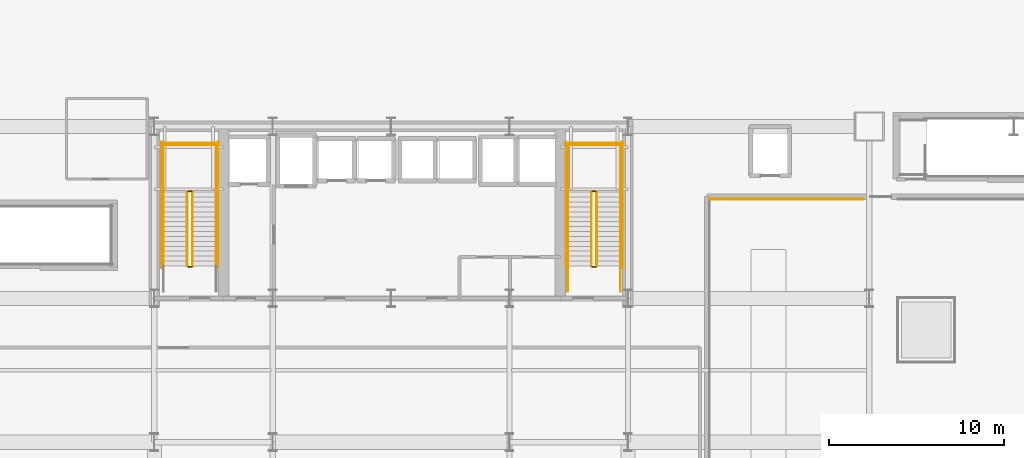
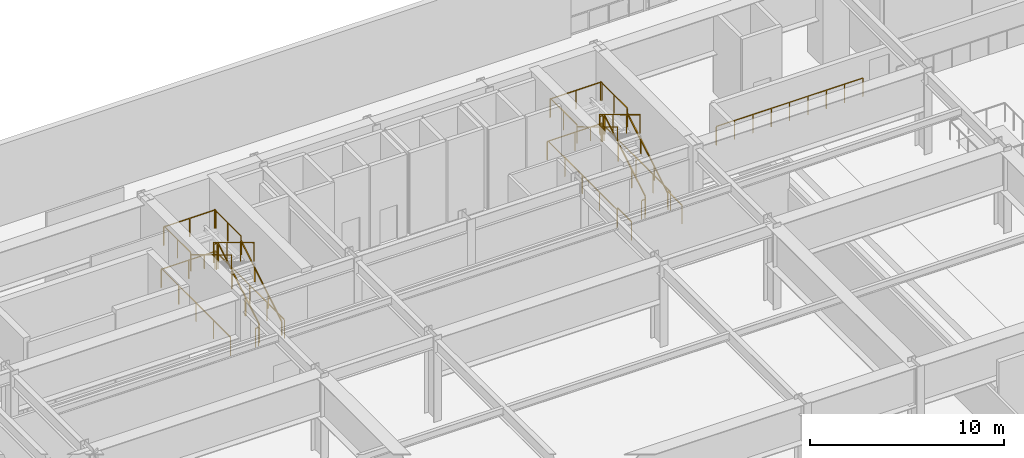
# One storey, part 22 of 29: 27 railings.
"""IFC4 building model written with IfcOpenShell, lengths in metres."""

from ifc_helpers import new_model, si_unit, direction, frame, origin, origin_2d, place, context, subcontext, project, spatial, rectangle, extrude, material, type_object, element, save


model = new_model("IFC4")

# Units and contexts
model_context = context("Model", 3, precision=1e-05, world=origin(), true_north=direction((0.0, 1.0)))
body_context = subcontext(model_context, "Body", "Model", "MODEL_VIEW")
ifc_project = project(units=[si_unit("LENGTHUNIT", "METRE"), si_unit("AREAUNIT", "SQUARE_METRE"), si_unit("VOLUMEUNIT", "CUBIC_METRE"), si_unit("PLANEANGLEUNIT", "RADIAN"), si_unit("MASSUNIT", "GRAM", prefix="KILO")], contexts=[model_context])

# Site, building, storey
site_placement = place(None, origin())
site = spatial("IfcSite", under=ifc_project, at=site_placement, CompositionType="ELEMENT")
building_placement = place(site_placement, origin())
building = spatial("IfcBuilding", under=site, at=building_placement, Name="Haevon Station Towers", CompositionType="ELEMENT")
storey_placement = place(building_placement, frame((0.0, 0.0, 25.199951171875)))
storey = spatial("IfcBuildingStorey", under=building, at=storey_placement, Name="L05", CompositionType="ELEMENT", Elevation=25.199951171875)

# Railings
ifc_material = material(Name="Steel S355", Category="steel")
railing_type_1 = type_object("IfcRailingType", Name="GRD-EXT1200", PredefinedType="GUARDRAIL", material=ifc_material)
railing_1_placement = place(storey_placement, frame((64.39990234375, 43.85009765625, 0.0)))
element("IfcRailing", 1, at=railing_1_placement, inside=storey, type_object=railing_type_1, Name="L05 Podium Roof Garden Guardrail 5", PredefinedType="GUARDRAIL", context=body_context, shape_type="SweptSolid", body=[
    extrude(rectangle(XDim=0.048095703125, YDim=0.048095703125, at=origin_2d()), frame((0.0, 0.0, 1.17578125), z_axis=(-1.0, 0.0, 0.0), x_axis=(0.0, -1.0, 0.0)), (0.0, 0.0, 1.0), 8.75),
    extrude(rectangle(XDim=0.0419921875, YDim=0.0419921875, at=origin_2d()), origin(), (0.0, 0.0, 1.0), 1.15185546875),
    extrude(rectangle(XDim=0.0419921875, YDim=0.0419921875, at=origin_2d()), frame((-1.09375, 0.0, 0.0)), (0.0, 0.0, 1.0), 1.15185546875),
    extrude(rectangle(XDim=0.0419921875, YDim=0.0419921875, at=origin_2d()), frame((-2.1875, 0.0, 0.0)), (0.0, 0.0, 1.0), 1.15185546875),
    extrude(rectangle(XDim=0.0419921875, YDim=0.0419921875, at=origin_2d()), frame((-3.28125, 0.0, 0.0)), (0.0, 0.0, 1.0), 1.15185546875),
    extrude(rectangle(XDim=0.0419921875, YDim=0.0419921875, at=origin_2d()), frame((-4.375, 0.0, 0.0)), (0.0, 0.0, 1.0), 1.15185546875),
    extrude(rectangle(XDim=0.0419921875, YDim=0.0419921875, at=origin_2d()), frame((-5.46875, 0.0, 0.0)), (0.0, 0.0, 1.0), 1.15185546875),
    extrude(rectangle(XDim=0.0419921875, YDim=0.0419921875, at=origin_2d()), frame((-6.5625, 0.0, 0.0)), (0.0, 0.0, 1.0), 1.15185546875),
    extrude(rectangle(XDim=0.0419921875, YDim=0.0419921875, at=origin_2d()), frame((-7.65625, 0.0, 0.0)), (0.0, 0.0, 1.0), 1.15185546875),
    extrude(rectangle(XDim=0.0419921875, YDim=0.0419921875, at=origin_2d()), frame((-8.75, 0.0, 0.0)), (0.0, 0.0, 1.0), 1.15185546875),
])
railing_type_2 = type_object("IfcRailingType", Name="GRD-STR1200", PredefinedType="GUARDRAIL", material=ifc_material)
railing_2_placement = place(storey_placement, frame((26.179931640625, 40.050048828125, 0.168701171875)))
element("IfcRailing", 2, at=railing_2_placement, inside=storey, type_object=railing_type_2, Name="L05 ST1 Stair Guard 1", PredefinedType="GUARDRAIL", context=body_context, shape_type="SweptSolid", body=[
    extrude(rectangle(XDim=0.048095703125, YDim=0.048095703125, at=origin_2d()), frame((0.0, 0.0, 1.17578125), z_axis=(0.0, 0.856476492594, 0.516186030065), x_axis=(-1.0, 0.0, 0.0)), (0.0, 0.0, 1.0), 4.90380859375),
    extrude(rectangle(XDim=0.0419921875, YDim=0.0419921875, at=origin_2d()), origin(), (0.0, 0.0, 1.0), 1.15185546875),
    extrude(rectangle(XDim=0.0419921875, YDim=0.0419921875, at=origin_2d()), frame((0.0, 1.39990234375, 0.84375)), (0.0, 0.0, 1.0), 1.15185546875),
    extrude(rectangle(XDim=0.0419921875, YDim=0.0419921875, at=origin_2d()), frame((0.0, 2.800048828125, 1.6875)), (0.0, 0.0, 1.0), 1.15185546875),
    extrude(rectangle(XDim=0.0419921875, YDim=0.0419921875, at=origin_2d()), frame((0.0, 4.199951171875, 2.53125)), (0.0, 0.0, 1.0), 1.15185546875),
])
railing_3_placement = place(storey_placement, frame((26.1298828125, 44.300048828125, 2.699951171875)))
element("IfcRailing", 3, at=railing_3_placement, inside=storey, type_object=railing_type_2, Name="L05 ST1 Stair Guard 2", PredefinedType="GUARDRAIL", context=body_context, shape_type="SweptSolid", body=[
    extrude(rectangle(XDim=0.048095703125, YDim=0.048095703125, at=origin_2d()), frame((0.0, 0.0, 1.17578125), z_axis=(-1.0, 0.0, 0.0), x_axis=(0.0, -1.0, 0.0)), (0.0, 0.0, 1.0), 0.199951171875),
    extrude(rectangle(XDim=0.0419921875, YDim=0.0419921875, at=origin_2d()), origin(), (0.0, 0.0, 1.0), 1.15185546875),
    extrude(rectangle(XDim=0.0419921875, YDim=0.0419921875, at=origin_2d()), frame((-0.199951171875, 0.0, 0.0)), (0.0, 0.0, 1.0), 1.15185546875),
])
for number, where, name in (
    (4, (27.530029296875, 44.25, 2.699951171875), "L05 ST1 Stair Guard 3"),
    (5, (24.530029296875, 44.25, 2.699951171875), "L05 ST1 Stair Guard 4"),
):
    element("IfcRailing", number, at=place(storey_placement, frame(where)), inside=storey, type_object=railing_type_2, Name=name, PredefinedType="GUARDRAIL", context=body_context, shape_type="SweptSolid", body=[
        extrude(rectangle(XDim=0.048095703125, YDim=0.048095703125, at=origin_2d()), frame((0.0, 0.0, 1.17578125), z_axis=(0.0, 1.0, 0.0), x_axis=(-1.0, 0.0, 0.0)), (0.0, 0.0, 1.0), 2.75),
        extrude(rectangle(XDim=0.0419921875, YDim=0.0419921875, at=origin_2d()), origin(), (0.0, 0.0, 1.0), 1.15185546875),
        extrude(rectangle(XDim=0.0419921875, YDim=0.0419921875, at=origin_2d()), frame((0.0, 1.375, 0.0)), (0.0, 0.0, 1.0), 1.15185546875),
        extrude(rectangle(XDim=0.0419921875, YDim=0.0419921875, at=origin_2d()), frame((0.0, 2.75, 0.0)), (0.0, 0.0, 1.0), 1.15185546875),
    ])
railing_4_placement = place(storey_placement, frame((27.580078125, 46.949951171875, 2.699951171875)))
element("IfcRailing", 6, at=railing_4_placement, inside=storey, type_object=railing_type_2, Name="L05 ST1 Stair Guard 5", PredefinedType="GUARDRAIL", context=body_context, shape_type="SweptSolid", body=[
    extrude(rectangle(XDim=0.048095703125, YDim=0.048095703125, at=origin_2d()), frame((0.0, 0.0, 1.17578125), z_axis=(-1.0, 0.0, 0.0), x_axis=(0.0, -1.0, 0.0)), (0.0, 0.0, 1.0), 3.10009765625),
    extrude(rectangle(XDim=0.0419921875, YDim=0.0419921875, at=origin_2d()), origin(), (0.0, 0.0, 1.0), 1.15185546875),
    extrude(rectangle(XDim=0.0419921875, YDim=0.0419921875, at=origin_2d()), frame((-1.550048828125, 0.0, 0.0)), (0.0, 0.0, 1.0), 1.15185546875),
    extrude(rectangle(XDim=0.0419921875, YDim=0.0419921875, at=origin_2d()), frame((-3.10009765625, 0.0, 0.0)), (0.0, 0.0, 1.0), 1.15185546875),
])
railing_5_placement = place(storey_placement, frame((25.8798828125, 44.25, 2.868896484375)))
element("IfcRailing", 7, at=railing_5_placement, inside=storey, type_object=railing_type_2, Name="L05 ST1 Stair Guard 6", PredefinedType="GUARDRAIL", context=body_context, shape_type="SweptSolid", body=[
    extrude(rectangle(XDim=0.048095703125, YDim=0.048095703125, at=origin_2d()), frame((0.0, 0.0, 1.17578125), z_axis=(0.0, -0.856476492594, 0.516186030065), x_axis=(1.0, 0.0, 0.0)), (0.0, 0.0, 1.0), 4.90380859375),
    extrude(rectangle(XDim=0.0419921875, YDim=0.0419921875, at=origin_2d()), origin(), (0.0, 0.0, 1.0), 1.15185546875),
    extrude(rectangle(XDim=0.0419921875, YDim=0.0419921875, at=origin_2d()), frame((0.0, -1.39990234375, 0.84375)), (0.0, 0.0, 1.0), 1.15185546875),
    extrude(rectangle(XDim=0.0419921875, YDim=0.0419921875, at=origin_2d()), frame((0.0, -2.800048828125, 1.6875)), (0.0, 0.0, 1.0), 1.15185546875),
    extrude(rectangle(XDim=0.0419921875, YDim=0.0419921875, at=origin_2d()), frame((0.0, -4.199951171875, 2.53125)), (0.0, 0.0, 1.0), 1.15185546875),
])
railing_6_placement = place(storey_placement, frame((26.1298828125, 40.0, 0.0)))
element("IfcRailing", 8, at=railing_6_placement, inside=storey, type_object=railing_type_2, Name="L05 ST1 Stair Guard 7", PredefinedType="GUARDRAIL", context=body_context, shape_type="SweptSolid", body=[
    extrude(rectangle(XDim=0.048095703125, YDim=0.048095703125, at=origin_2d()), frame((0.0, 0.0, 1.17578125), z_axis=(-1.0, 0.0, 0.0), x_axis=(0.0, -1.0, 0.0)), (0.0, 0.0, 1.0), 0.199951171875),
    extrude(rectangle(XDim=0.0419921875, YDim=0.0419921875, at=origin_2d()), origin(), (0.0, 0.0, 1.0), 1.15185546875),
    extrude(rectangle(XDim=0.0419921875, YDim=0.0419921875, at=origin_2d()), frame((-0.199951171875, 0.0, 0.0)), (0.0, 0.0, 1.0), 1.15185546875),
])
for number, where, name in (
    (9, (27.6298828125, 39.949951171875, 0.0), "L05 ST1 Stair Guard 10"),
    (10, (24.429931640625, 39.949951171875, 0.0), "L05 ST1 Stair Guard 11"),
):
    element("IfcRailing", number, at=place(storey_placement, frame(where)), inside=storey, type_object=railing_type_2, Name=name, PredefinedType="GUARDRAIL", context=body_context, shape_type="SweptSolid", body=[
        extrude(rectangle(XDim=0.048095703125, YDim=0.048095703125, at=origin_2d()), frame((0.0, 0.0, 1.17578125), z_axis=(0.0, 1.0, 0.0), x_axis=(-1.0, 0.0, 0.0)), (0.0, 0.0, 1.0), 7.150146484375),
        extrude(rectangle(XDim=0.0419921875, YDim=0.0419921875, at=origin_2d()), origin(), (0.0, 0.0, 1.0), 1.15185546875),
        extrude(rectangle(XDim=0.0419921875, YDim=0.0419921875, at=origin_2d()), frame((0.0, 1.78759765625, 0.0)), (0.0, 0.0, 1.0), 1.15185546875),
        extrude(rectangle(XDim=0.0419921875, YDim=0.0419921875, at=origin_2d()), frame((0.0, 3.5751953125, 0.0)), (0.0, 0.0, 1.0), 1.15185546875),
        extrude(rectangle(XDim=0.0419921875, YDim=0.0419921875, at=origin_2d()), frame((0.0, 5.362548828125, 0.0)), (0.0, 0.0, 1.0), 1.15185546875),
        extrude(rectangle(XDim=0.0419921875, YDim=0.0419921875, at=origin_2d()), frame((0.0, 7.150146484375, 0.0)), (0.0, 0.0, 1.0), 1.15185546875),
    ])
railing_7_placement = place(storey_placement, frame((27.679931640625, 47.050048828125, 0.0)))
element("IfcRailing", 11, at=railing_7_placement, inside=storey, type_object=railing_type_2, Name="L05 ST1 Stair Guard 12", PredefinedType="GUARDRAIL", context=body_context, shape_type="SweptSolid", body=[
    extrude(rectangle(XDim=0.048095703125, YDim=0.048095703125, at=origin_2d()), frame((0.0, 0.0, 1.17578125), z_axis=(-1.0, 0.0, 0.0), x_axis=(0.0, -1.0, 0.0)), (0.0, 0.0, 1.0), 3.300048828125),
    extrude(rectangle(XDim=0.0419921875, YDim=0.0419921875, at=origin_2d()), origin(), (0.0, 0.0, 1.0), 1.15185546875),
    extrude(rectangle(XDim=0.0419921875, YDim=0.0419921875, at=origin_2d()), frame((-1.64990234375, 0.0, 0.0)), (0.0, 0.0, 1.0), 1.15185546875),
    extrude(rectangle(XDim=0.0419921875, YDim=0.0419921875, at=origin_2d()), frame((-3.300048828125, 0.0, 0.0)), (0.0, 0.0, 1.0), 1.15185546875),
])
railing_8_placement = place(storey_placement, frame((49.219970703125, 40.050048828125, 0.168701171875)))
element("IfcRailing", 12, at=railing_8_placement, inside=storey, type_object=railing_type_2, Name="L05 ST2 Stair Guard 1", PredefinedType="GUARDRAIL", context=body_context, shape_type="SweptSolid", body=[
    extrude(rectangle(XDim=0.048095703125, YDim=0.048095703125, at=origin_2d()), frame((0.0, 0.0, 1.17578125), z_axis=(0.0, 0.856476492594, 0.516186030065), x_axis=(-1.0, 0.0, 0.0)), (0.0, 0.0, 1.0), 4.90380859375),
    extrude(rectangle(XDim=0.0419921875, YDim=0.0419921875, at=origin_2d()), origin(), (0.0, 0.0, 1.0), 1.15185546875),
    extrude(rectangle(XDim=0.0419921875, YDim=0.0419921875, at=origin_2d()), frame((0.0, 1.39990234375, 0.84375)), (0.0, 0.0, 1.0), 1.15185546875),
    extrude(rectangle(XDim=0.0419921875, YDim=0.0419921875, at=origin_2d()), frame((0.0, 2.800048828125, 1.6875)), (0.0, 0.0, 1.0), 1.15185546875),
    extrude(rectangle(XDim=0.0419921875, YDim=0.0419921875, at=origin_2d()), frame((0.0, 4.199951171875, 2.53125)), (0.0, 0.0, 1.0), 1.15185546875),
])
railing_9_placement = place(storey_placement, frame((49.169921875, 44.300048828125, 2.699951171875)))
element("IfcRailing", 13, at=railing_9_placement, inside=storey, type_object=railing_type_2, Name="L05 ST2 Stair Guard 2", PredefinedType="GUARDRAIL", context=body_context, shape_type="SweptSolid", body=[
    extrude(rectangle(XDim=0.048095703125, YDim=0.048095703125, at=origin_2d()), frame((0.0, 0.0, 1.17578125), z_axis=(-1.0, 0.0, 0.0), x_axis=(0.0, -1.0, 0.0)), (0.0, 0.0, 1.0), 0.199951171875),
    extrude(rectangle(XDim=0.0419921875, YDim=0.0419921875, at=origin_2d()), origin(), (0.0, 0.0, 1.0), 1.15185546875),
    extrude(rectangle(XDim=0.0419921875, YDim=0.0419921875, at=origin_2d()), frame((-0.199951171875, 0.0, 0.0)), (0.0, 0.0, 1.0), 1.15185546875),
])
for number, where, name in (
    (14, (50.570068359375, 44.25, 2.699951171875), "L05 ST2 Stair Guard 3"),
    (15, (47.570068359375, 44.25, 2.699951171875), "L05 ST2 Stair Guard 4"),
):
    element("IfcRailing", number, at=place(storey_placement, frame(where)), inside=storey, type_object=railing_type_2, Name=name, PredefinedType="GUARDRAIL", context=body_context, shape_type="SweptSolid", body=[
        extrude(rectangle(XDim=0.048095703125, YDim=0.048095703125, at=origin_2d()), frame((0.0, 0.0, 1.17578125), z_axis=(0.0, 1.0, 0.0), x_axis=(-1.0, 0.0, 0.0)), (0.0, 0.0, 1.0), 2.75),
        extrude(rectangle(XDim=0.0419921875, YDim=0.0419921875, at=origin_2d()), origin(), (0.0, 0.0, 1.0), 1.15185546875),
        extrude(rectangle(XDim=0.0419921875, YDim=0.0419921875, at=origin_2d()), frame((0.0, 1.375, 0.0)), (0.0, 0.0, 1.0), 1.15185546875),
        extrude(rectangle(XDim=0.0419921875, YDim=0.0419921875, at=origin_2d()), frame((0.0, 2.75, 0.0)), (0.0, 0.0, 1.0), 1.15185546875),
    ])
railing_10_placement = place(storey_placement, frame((50.6201171875, 46.949951171875, 2.699951171875)))
element("IfcRailing", 16, at=railing_10_placement, inside=storey, type_object=railing_type_2, Name="L05 ST2 Stair Guard 5", PredefinedType="GUARDRAIL", context=body_context, shape_type="SweptSolid", body=[
    extrude(rectangle(XDim=0.048095703125, YDim=0.048095703125, at=origin_2d()), frame((0.0, 0.0, 1.17578125), z_axis=(-1.0, 0.0, 0.0), x_axis=(0.0, -1.0, 0.0)), (0.0, 0.0, 1.0), 3.10009765625),
    extrude(rectangle(XDim=0.0419921875, YDim=0.0419921875, at=origin_2d()), origin(), (0.0, 0.0, 1.0), 1.15185546875),
    extrude(rectangle(XDim=0.0419921875, YDim=0.0419921875, at=origin_2d()), frame((-1.550048828125, 0.0, 0.0)), (0.0, 0.0, 1.0), 1.15185546875),
    extrude(rectangle(XDim=0.0419921875, YDim=0.0419921875, at=origin_2d()), frame((-3.10009765625, 0.0, 0.0)), (0.0, 0.0, 1.0), 1.15185546875),
])
railing_11_placement = place(storey_placement, frame((48.919921875, 44.25, 2.868896484375)))
element("IfcRailing", 17, at=railing_11_placement, inside=storey, type_object=railing_type_2, Name="L05 ST2 Stair Guard 6", PredefinedType="GUARDRAIL", context=body_context, shape_type="SweptSolid", body=[
    extrude(rectangle(XDim=0.048095703125, YDim=0.048095703125, at=origin_2d()), frame((0.0, 0.0, 1.17578125), z_axis=(0.0, -0.856476492594, 0.516186030065), x_axis=(1.0, 0.0, 0.0)), (0.0, 0.0, 1.0), 4.90380859375),
    extrude(rectangle(XDim=0.0419921875, YDim=0.0419921875, at=origin_2d()), origin(), (0.0, 0.0, 1.0), 1.15185546875),
    extrude(rectangle(XDim=0.0419921875, YDim=0.0419921875, at=origin_2d()), frame((0.0, -1.39990234375, 0.84375)), (0.0, 0.0, 1.0), 1.15185546875),
    extrude(rectangle(XDim=0.0419921875, YDim=0.0419921875, at=origin_2d()), frame((0.0, -2.800048828125, 1.6875)), (0.0, 0.0, 1.0), 1.15185546875),
    extrude(rectangle(XDim=0.0419921875, YDim=0.0419921875, at=origin_2d()), frame((0.0, -4.199951171875, 2.53125)), (0.0, 0.0, 1.0), 1.15185546875),
])
railing_12_placement = place(storey_placement, frame((49.169921875, 40.0, 0.0)))
element("IfcRailing", 18, at=railing_12_placement, inside=storey, type_object=railing_type_2, Name="L05 ST2 Stair Guard 7", PredefinedType="GUARDRAIL", context=body_context, shape_type="SweptSolid", body=[
    extrude(rectangle(XDim=0.048095703125, YDim=0.048095703125, at=origin_2d()), frame((0.0, 0.0, 1.17578125), z_axis=(-1.0, 0.0, 0.0), x_axis=(0.0, -1.0, 0.0)), (0.0, 0.0, 1.0), 0.199951171875),
    extrude(rectangle(XDim=0.0419921875, YDim=0.0419921875, at=origin_2d()), origin(), (0.0, 0.0, 1.0), 1.15185546875),
    extrude(rectangle(XDim=0.0419921875, YDim=0.0419921875, at=origin_2d()), frame((-0.199951171875, 0.0, 0.0)), (0.0, 0.0, 1.0), 1.15185546875),
])
for number, where, name in (
    (19, (50.570068359375, 38.60009765625, 0.0), "L05 ST2 Stair Guard 8"),
    (20, (47.570068359375, 38.60009765625, 0.0), "L05 ST2 Stair Guard 9"),
):
    element("IfcRailing", number, at=place(storey_placement, frame(where)), inside=storey, type_object=railing_type_2, Name=name, PredefinedType="GUARDRAIL", context=body_context, shape_type="SweptSolid", body=[
        extrude(rectangle(XDim=0.048095703125, YDim=0.048095703125, at=origin_2d()), frame((0.0, 0.0, 1.17578125), z_axis=(0.0, 1.0, 0.0), x_axis=(-1.0, 0.0, 0.0)), (0.0, 0.0, 1.0), 1.449951171875),
        extrude(rectangle(XDim=0.0419921875, YDim=0.0419921875, at=origin_2d()), origin(), (0.0, 0.0, 1.0), 1.15185546875),
        extrude(rectangle(XDim=0.0419921875, YDim=0.0419921875, at=origin_2d()), frame((0.0, 1.449951171875, 0.0)), (0.0, 0.0, 1.0), 1.15185546875),
    ])
for number, where, name in (
    (21, (50.669921875, 39.949951171875, 0.0), "L05 ST2 Stair Guard 10"),
    (22, (47.469970703125, 39.949951171875, 0.0), "L05 ST2 Stair Guard 11"),
):
    element("IfcRailing", number, at=place(storey_placement, frame(where)), inside=storey, type_object=railing_type_2, Name=name, PredefinedType="GUARDRAIL", context=body_context, shape_type="SweptSolid", body=[
        extrude(rectangle(XDim=0.048095703125, YDim=0.048095703125, at=origin_2d()), frame((0.0, 0.0, 1.17578125), z_axis=(0.0, 1.0, 0.0), x_axis=(-1.0, 0.0, 0.0)), (0.0, 0.0, 1.0), 7.150146484375),
        extrude(rectangle(XDim=0.0419921875, YDim=0.0419921875, at=origin_2d()), origin(), (0.0, 0.0, 1.0), 1.15185546875),
        extrude(rectangle(XDim=0.0419921875, YDim=0.0419921875, at=origin_2d()), frame((0.0, 1.78759765625, 0.0)), (0.0, 0.0, 1.0), 1.15185546875),
        extrude(rectangle(XDim=0.0419921875, YDim=0.0419921875, at=origin_2d()), frame((0.0, 3.5751953125, 0.0)), (0.0, 0.0, 1.0), 1.15185546875),
        extrude(rectangle(XDim=0.0419921875, YDim=0.0419921875, at=origin_2d()), frame((0.0, 5.362548828125, 0.0)), (0.0, 0.0, 1.0), 1.15185546875),
        extrude(rectangle(XDim=0.0419921875, YDim=0.0419921875, at=origin_2d()), frame((0.0, 7.150146484375, 0.0)), (0.0, 0.0, 1.0), 1.15185546875),
    ])
railing_13_placement = place(storey_placement, frame((50.719970703125, 47.050048828125, 0.0)))
element("IfcRailing", 23, at=railing_13_placement, inside=storey, type_object=railing_type_2, Name="L05 ST2 Stair Guard 12", PredefinedType="GUARDRAIL", context=body_context, shape_type="SweptSolid", body=[
    extrude(rectangle(XDim=0.048095703125, YDim=0.048095703125, at=origin_2d()), frame((0.0, 0.0, 1.17578125), z_axis=(-1.0, 0.0, 0.0), x_axis=(0.0, -1.0, 0.0)), (0.0, 0.0, 1.0), 3.300048828125),
    extrude(rectangle(XDim=0.0419921875, YDim=0.0419921875, at=origin_2d()), origin(), (0.0, 0.0, 1.0), 1.15185546875),
    extrude(rectangle(XDim=0.0419921875, YDim=0.0419921875, at=origin_2d()), frame((-1.64990234375, 0.0, 0.0)), (0.0, 0.0, 1.0), 1.15185546875),
    extrude(rectangle(XDim=0.0419921875, YDim=0.0419921875, at=origin_2d()), frame((-3.300048828125, 0.0, 0.0)), (0.0, 0.0, 1.0), 1.15185546875),
])
railing_type_3 = type_object("IfcRailingType", Name="HND-STR900", PredefinedType="HANDRAIL", material=ifc_material)
railing_14_placement = place(storey_placement, frame((27.530029296875, 40.050048828125, 0.168701171875)))
element("IfcRailing", 24, at=railing_14_placement, inside=storey, type_object=railing_type_3, Name="L05 ST1 Stair Handrail 1", PredefinedType="HANDRAIL", context=body_context, shape_type="SweptSolid", body=[
    extrude(rectangle(XDim=0.048095703125, YDim=0.048095703125, at=origin_2d()), frame((0.0, 0.0, 0.8759765625), z_axis=(0.0, 0.856476492594, 0.516186030065), x_axis=(-1.0, 0.0, 0.0)), (0.0, 0.0, 1.0), 4.90380859375),
    extrude(rectangle(XDim=0.0419921875, YDim=0.0419921875, at=origin_2d()), origin(), (0.0, 0.0, 1.0), 0.851806640625),
    extrude(rectangle(XDim=0.0419921875, YDim=0.0419921875, at=origin_2d()), frame((0.0, 1.39990234375, 0.84375)), (0.0, 0.0, 1.0), 0.851806640625),
    extrude(rectangle(XDim=0.0419921875, YDim=0.0419921875, at=origin_2d()), frame((0.0, 2.800048828125, 1.6875)), (0.0, 0.0, 1.0), 0.851806640625),
    extrude(rectangle(XDim=0.0419921875, YDim=0.0419921875, at=origin_2d()), frame((0.0, 4.199951171875, 2.53125)), (0.0, 0.0, 1.0), 0.851806640625),
])
railing_15_placement = place(storey_placement, frame((24.530029296875, 44.25, 2.868896484375)))
element("IfcRailing", 25, at=railing_15_placement, inside=storey, type_object=railing_type_3, Name="L05 ST1 Stair Handrail 2", PredefinedType="HANDRAIL", context=body_context, shape_type="SweptSolid", body=[
    extrude(rectangle(XDim=0.048095703125, YDim=0.048095703125, at=origin_2d()), frame((0.0, 0.0, 0.8759765625), z_axis=(0.0, -0.856476492594, 0.516186030065), x_axis=(1.0, 0.0, 0.0)), (0.0, 0.0, 1.0), 4.90380859375),
    extrude(rectangle(XDim=0.0419921875, YDim=0.0419921875, at=origin_2d()), origin(), (0.0, 0.0, 1.0), 0.851806640625),
    extrude(rectangle(XDim=0.0419921875, YDim=0.0419921875, at=origin_2d()), frame((0.0, -1.39990234375, 0.84375)), (0.0, 0.0, 1.0), 0.851806640625),
    extrude(rectangle(XDim=0.0419921875, YDim=0.0419921875, at=origin_2d()), frame((0.0, -2.800048828125, 1.6875)), (0.0, 0.0, 1.0), 0.851806640625),
    extrude(rectangle(XDim=0.0419921875, YDim=0.0419921875, at=origin_2d()), frame((0.0, -4.199951171875, 2.53125)), (0.0, 0.0, 1.0), 0.851806640625),
])
railing_16_placement = place(storey_placement, frame((50.570068359375, 40.050048828125, 0.168701171875)))
element("IfcRailing", 26, at=railing_16_placement, inside=storey, type_object=railing_type_3, Name="L05 ST2 Stair Handrail 1", PredefinedType="HANDRAIL", context=body_context, shape_type="SweptSolid", body=[
    extrude(rectangle(XDim=0.048095703125, YDim=0.048095703125, at=origin_2d()), frame((0.0, 0.0, 0.8759765625), z_axis=(0.0, 0.856476492594, 0.516186030065), x_axis=(-1.0, 0.0, 0.0)), (0.0, 0.0, 1.0), 4.90380859375),
    extrude(rectangle(XDim=0.0419921875, YDim=0.0419921875, at=origin_2d()), origin(), (0.0, 0.0, 1.0), 0.851806640625),
    extrude(rectangle(XDim=0.0419921875, YDim=0.0419921875, at=origin_2d()), frame((0.0, 1.39990234375, 0.84375)), (0.0, 0.0, 1.0), 0.851806640625),
    extrude(rectangle(XDim=0.0419921875, YDim=0.0419921875, at=origin_2d()), frame((0.0, 2.800048828125, 1.6875)), (0.0, 0.0, 1.0), 0.851806640625),
    extrude(rectangle(XDim=0.0419921875, YDim=0.0419921875, at=origin_2d()), frame((0.0, 4.199951171875, 2.53125)), (0.0, 0.0, 1.0), 0.851806640625),
])
railing_17_placement = place(storey_placement, frame((47.570068359375, 44.25, 2.868896484375)))
element("IfcRailing", 27, at=railing_17_placement, inside=storey, type_object=railing_type_3, Name="L05 ST2 Stair Handrail 2", PredefinedType="HANDRAIL", context=body_context, shape_type="SweptSolid", body=[
    extrude(rectangle(XDim=0.048095703125, YDim=0.048095703125, at=origin_2d()), frame((0.0, 0.0, 0.8759765625), z_axis=(0.0, -0.856476492594, 0.516186030065), x_axis=(1.0, 0.0, 0.0)), (0.0, 0.0, 1.0), 4.90380859375),
    extrude(rectangle(XDim=0.0419921875, YDim=0.0419921875, at=origin_2d()), origin(), (0.0, 0.0, 1.0), 0.851806640625),
    extrude(rectangle(XDim=0.0419921875, YDim=0.0419921875, at=origin_2d()), frame((0.0, -1.39990234375, 0.84375)), (0.0, 0.0, 1.0), 0.851806640625),
    extrude(rectangle(XDim=0.0419921875, YDim=0.0419921875, at=origin_2d()), frame((0.0, -2.800048828125, 1.6875)), (0.0, 0.0, 1.0), 0.851806640625),
    extrude(rectangle(XDim=0.0419921875, YDim=0.0419921875, at=origin_2d()), frame((0.0, -4.199951171875, 2.53125)), (0.0, 0.0, 1.0), 0.851806640625),
])

save(model, "model.ifc")
